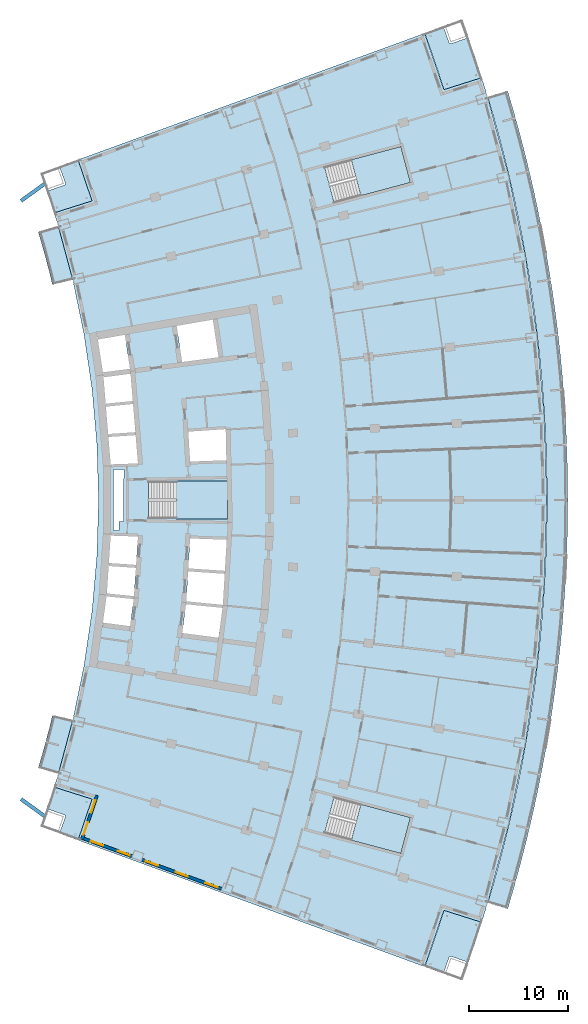
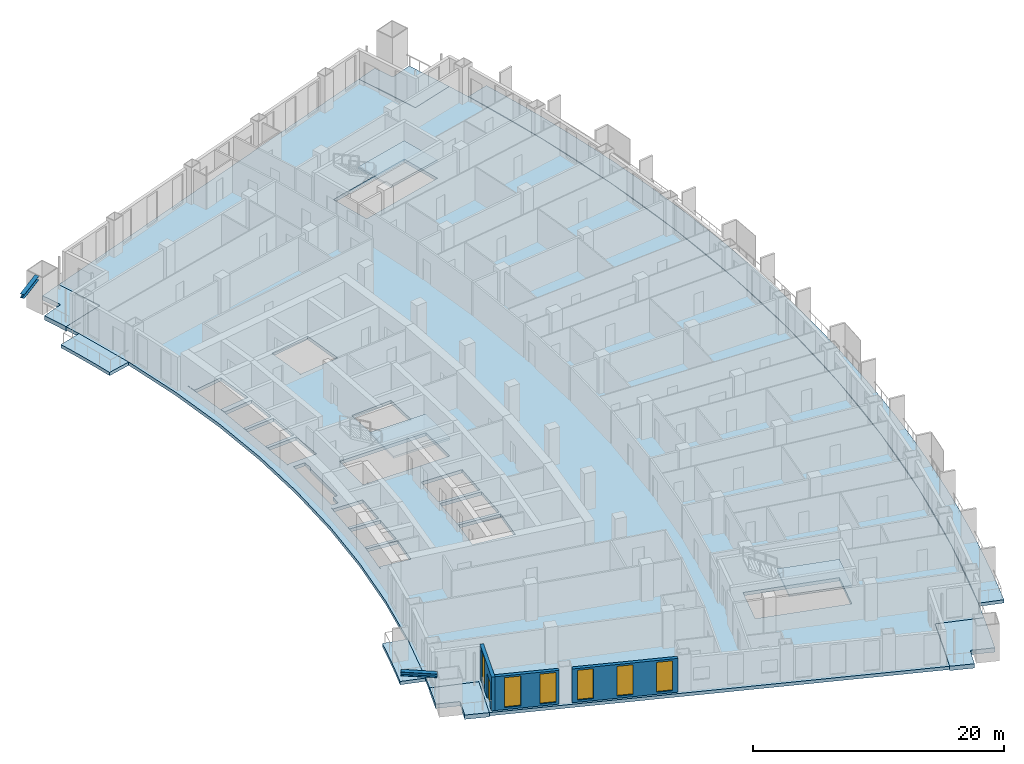
# One storey, part 12 of 25: 11 slabs, 6 windows, 3 walls, 2 members, 1 door, 7 openings, 3 elements without a shape of their own.
"""IFC4 building model written with IfcOpenShell, lengths in metres."""

from ifc_helpers import new_model, si_unit, direction, frame, frame_2d, origin, origin_2d, place, context, subcontext, project, spatial, polyline, rectangle, i_section, outline, extrude, material, layer, layer_set, material_profile, profile_set, type_object, element, fill, aggregate, save


model = new_model("IFC4")

# Units and contexts
model_context = context("Model", 3, precision=1e-05, world=origin(), true_north=direction((0.0, 1.0)))
body_context = subcontext(model_context, "Body", "Model", "MODEL_VIEW")
ifc_project = project(units=[si_unit("LENGTHUNIT", "METRE"), si_unit("AREAUNIT", "SQUARE_METRE"), si_unit("VOLUMEUNIT", "CUBIC_METRE"), si_unit("PLANEANGLEUNIT", "RADIAN"), si_unit("MASSUNIT", "GRAM", prefix="KILO")], contexts=[model_context])

# Site, building, storey
site_placement = place(None, origin())
site = spatial("IfcSite", under=ifc_project, at=site_placement, CompositionType="ELEMENT")
building_placement = place(site_placement, origin())
building = spatial("IfcBuilding", under=site, at=building_placement, Name="Alderwake Tower", CompositionType="ELEMENT")
storey_placement = place(building_placement, frame((0.0, 0.0, 118.39990234375)))
storey = spatial("IfcBuildingStorey", under=building, at=storey_placement, Name="L29", CompositionType="ELEMENT", Elevation=118.39990234375)

# Members
ifc_material_1 = material(Name="Steel ASTM A992 Grade 50", Category="steel")
ifc_material_profile = material_profile(ifc_material_1, i_section(OverallWidth=0.3740234375, OverallDepth=0.372314453125, WebThickness=0.016357421875, FlangeThickness=0.026123046875, at=origin_2d()), Name="W14X132")
ifc_profile_set = profile_set([ifc_material_profile], Name="Steel ASTM A992 Grade 50")
member_type = type_object("IfcMemberType", Name="Brace node stub W14X132", PredefinedType="MEMBER", material=ifc_profile_set)
for number, where, z_axis, x_axis, name in (
    (1, (10.557861328125, 29.140625, 3.393798828125), (-0.811319673372, 0.584602760513, 0.0), (-0.584602760513, -0.811319673372, 0.0), "Brace node stub BS.RR01-C0.1220"),
    (2, (10.557861328125, 92.859375, 3.393798828125), (-0.811319673372, -0.584602760513, 0.0), (0.584602760513, -0.811319673372, 0.0), "Brace node stub BS.RR13-C0.1220"),
):
    element("IfcMember", number, at=place(storey_placement, frame(where, z_axis=z_axis, x_axis=x_axis)), inside=storey, type_object=member_type, Name=name, PredefinedType="MEMBER", context=body_context, shape_type="SweptSolid", body=[
        extrude(i_section(OverallWidth=0.3740234375, OverallDepth=0.372314453125, WebThickness=0.016357421875, FlangeThickness=0.026123046875, at=origin_2d()), origin(), (0.0, 0.0, 1.0), 2.912841796875),
    ])

# Slabs
ifc_material_2 = material(Name="Concrete C50/60", Category="concrete")
ifc_layer_1 = layer(ifc_material_2, 0.320068359375)
ifc_layer_set_1 = layer_set([ifc_layer_1], Name="Balcony slab 320")
slab_type_1 = type_object("IfcSlabType", Name="Balcony slab 320", PredefinedType="FLOOR", material=ifc_layer_set_1)
slab_1_placement = place(storey_placement, frame((0.0, 0.0, -0.31982421875)))
element("IfcSlab", 3, at=slab_1_placement, inside=storey, type_object=slab_type_1, Name="Balcony BF02", PredefinedType="FLOOR", context=body_context, shape_type="SweptSolid", body=[
    extrude(outline(polyline([(57.247802734375, 19.794189453125), (57.834228515625, 21.800048828125), (58.39111328125, 23.814208984375), (58.918701171875, 25.83642578125), (59.416748046875, 27.865966796875), (59.885009765625, 29.902587890625), (60.32373046875, 31.94580078125), (60.732421875, 33.9951171875), (61.111328125, 36.05029296875), (61.460205078125, 38.11083984375), (61.77880859375, 40.176025390625), (62.0673828125, 42.245849609375), (62.325927734375, 44.319580078125), (62.553955078125, 46.39697265625), (62.751708984375, 48.477294921875), (62.919189453125, 50.560302734375), (63.056396484375, 52.6455078125), (63.162841796875, 54.732666015625), (63.239013671875, 56.821044921875), (63.284912109375, 58.910400390625), (63.300048828125, 61.0), (63.284912109375, 63.089599609375), (63.239013671875, 65.178955078125), (63.162841796875, 67.267333984375), (63.056396484375, 69.3544921875), (62.919189453125, 71.439697265625), (62.751708984375, 73.522705078125), (62.553955078125, 75.60302734375), (62.325927734375, 77.680419921875), (62.0673828125, 79.754150390625), (61.77880859375, 81.823974609375), (61.460205078125, 83.88916015625), (61.111328125, 85.94970703125), (60.732421875, 88.0048828125), (60.32373046875, 90.05419921875), (59.885009765625, 92.097412109375), (59.416748046875, 94.134033203125), (58.918701171875, 96.16357421875), (58.39111328125, 98.185791015625), (57.834228515625, 100.199951171875), (57.247802734375, 102.205810546875), (55.236572265625, 101.601806640625), (55.814208984375, 99.62548828125), (56.363037109375, 97.640869140625), (56.8828125, 95.648193359375), (57.37353515625, 93.6484375), (57.835205078125, 91.641845703125), (58.267333984375, 89.62841796875), (58.670166015625, 87.609130859375), (59.04345703125, 85.583984375), (59.38720703125, 83.5537109375), (59.701171875, 81.518798828125), (59.985595703125, 79.479248046875), (60.239990234375, 77.43603515625), (60.46484375, 75.38916015625), (60.659912109375, 73.339111328125), (60.82470703125, 71.28662109375), (60.959716796875, 69.23193359375), (61.06494140625, 67.175537109375), (61.139892578125, 65.11767578125), (61.18505859375, 63.05908203125), (61.199951171875, 61.0), (61.18505859375, 58.94091796875), (61.139892578125, 56.88232421875), (61.06494140625, 54.824462890625), (60.959716796875, 52.76806640625), (60.82470703125, 50.71337890625), (60.659912109375, 48.660888671875), (60.46484375, 46.61083984375), (60.239990234375, 44.56396484375), (59.985595703125, 42.520751953125), (59.701171875, 40.481201171875), (59.38720703125, 38.4462890625), (59.04345703125, 36.416015625), (58.670166015625, 34.390869140625), (58.267333984375, 32.37158203125), (57.835205078125, 30.358154296875), (57.37353515625, 28.3515625), (56.8828125, 26.351806640625), (56.363037109375, 24.359130859375), (55.814208984375, 22.37451171875), (55.236572265625, 20.398193359375), (57.247802734375, 19.794189453125)])), origin(), (0.0, 0.0, 1.0), 0.31982421875),
])
slab_2_placement = place(storey_placement, frame((0.0, 0.0, -0.31982421875)))
element("IfcSlab", 4, at=slab_2_placement, inside=storey, type_object=slab_type_1, Name="Balcony BR02", PredefinedType="FLOOR", context=body_context, shape_type="SweptSolid", body=[
    extrude(outline(polyline([(9.93408203125, 33.999267578125), (11.945556640625, 33.395263671875), (13.3984375, 38.802734375), (11.35546875, 39.288330078125), (11.029052734375, 37.95849609375), (10.683349609375, 36.63330078125), (10.318359375, 35.3134765625), (9.93408203125, 33.999267578125)])), origin(), (0.0, 0.0, 1.0), 0.31982421875),
])
slab_3_placement = place(storey_placement, frame((0.0, 0.0, -0.31982421875)))
element("IfcSlab", 5, at=slab_3_placement, inside=storey, type_object=slab_type_1, Name="Balcony BR11", PredefinedType="FLOOR", context=body_context, shape_type="SweptSolid", body=[
    extrude(outline(polyline([(11.35546875, 82.711669921875), (13.3984375, 83.197265625), (11.945556640625, 88.604736328125), (9.93408203125, 88.000732421875), (10.318359375, 86.6865234375), (10.683349609375, 85.36669921875), (11.029052734375, 84.04150390625), (11.35546875, 82.711669921875)])), origin(), (0.0, 0.0, 1.0), 0.31982421875),
])
ifc_material_3 = material(Name="Concrete C50/60", Category="concrete")
ifc_layer_2 = layer(ifc_material_3, 0.320068359375)
ifc_layer_set_2 = layer_set([ifc_layer_2], Name="Concrete C50/60 post-tensioned flat plate 320")
slab_type_2 = type_object("IfcSlabType", Name="Concrete C50/60 post-tensioned flat plate 320", PredefinedType="FLOOR", material=ifc_layer_set_2)
slab_4_placement = place(storey_placement, frame((0.0, 0.0, -0.31982421875)))
element("IfcSlab", 6, at=slab_4_placement, inside=storey, type_object=slab_type_2, Name="Floor slab L29", PredefinedType="FLOOR", context=body_context, shape_type="SweptSolid", body=[
    extrude(outline(polyline([(11.533203125, 32.057373046875), (11.945556640625, 33.395263671875), (13.3984375, 38.802734375), (14.53369140625, 44.28564453125), (15.347412109375, 49.825439453125), (15.836669921875, 55.4033203125), (16.0, 61.0), (15.836669921875, 66.5966796875), (15.347412109375, 72.174560546875), (14.53369140625, 77.71435546875), (13.3984375, 83.197265625), (11.945556640625, 88.604736328125), (11.533203125, 89.942626953125), (15.34716796875, 91.1484375), (13.937255859375, 95.289794921875), (48.8818359375, 108.045654296875), (50.816162109375, 102.36376953125), (54.630126953125, 103.569580078125), (55.236572265625, 101.601806640625), (57.37353515625, 93.6484375), (59.04345703125, 85.583984375), (60.239990234375, 77.43603515625), (60.959716796875, 69.23193359375), (61.199951171875, 61.0), (60.959716796875, 52.76806640625), (60.239990234375, 44.56396484375), (59.04345703125, 36.416015625), (57.37353515625, 28.3515625), (55.236572265625, 20.398193359375), (54.630126953125, 18.430419921875), (50.816162109375, 19.63623046875), (48.8818359375, 13.954345703125), (13.937255859375, 26.710205078125), (15.34716796875, 30.8515625), (11.533203125, 32.057373046875)]), holes=[polyline([(16.84375, 51.279541015625), (16.8583984375, 51.4287109375), (16.873291015625, 51.577880859375), (19.574951171875, 51.31103515625), (19.76611328125, 54.161376953125), (17.0537109375, 54.34326171875), (17.06396484375, 54.492919921875), (17.073974609375, 54.642578125), (19.7861328125, 54.460693359375), (19.977294921875, 57.31103515625), (17.263916015625, 57.406982421875), (17.269287109375, 57.556884765625), (17.2392578125, 57.55810546875), (17.033935546875, 54.494873046875), (16.82861328125, 51.431640625), (16.82861328125, 51.431640625), (16.41015625, 48.39013671875), (16.43994140625, 48.38623046875), (16.472412109375, 48.63427734375), (19.18017578125, 48.280029296875), (19.545166015625, 51.012451171875), (16.84375, 51.279541015625)]), polyline([(29.0, 62.875), (21.050048828125, 62.875), (21.050048828125, 59.125), (29.0, 59.125), (29.0, 62.875)]), polyline([(19.738525390625, 67.5361328125), (17.02587890625, 67.354248046875), (17.015869140625, 67.50390625), (17.005859375, 67.653564453125), (19.7138671875, 67.835205078125), (19.47802734375, 70.679443359375), (16.777099609375, 70.41259765625), (16.76220703125, 70.561767578125), (16.74755859375, 70.7109375), (19.453125, 70.978515625), (19.2255859375, 73.725830078125), (16.541015625, 73.374755859375), (16.508544921875, 73.62255859375), (16.47607421875, 73.87060546875), (19.16796875, 74.22265625), (18.656982421875, 77.6376953125), (18.90283203125, 77.674560546875), (18.900146484375, 77.690673828125), (15.96826171875, 77.183837890625), (15.836669921875, 77.94482421875), (15.58544921875, 77.900390625), (15.586181640625, 77.896484375), (15.8154296875, 77.931884765625), (16.478515625, 73.61865234375), (16.47900390625, 73.61376953125), (16.732421875, 70.558837890625), (16.98583984375, 67.501953125), (17.239501953125, 64.4443359375), (17.239501953125, 64.44189453125), (17.269287109375, 64.443115234375), (17.263916015625, 64.593017578125), (19.974609375, 64.68896484375), (19.738525390625, 67.5361328125)]), polyline([(47.436279296875, 28.996826171875), (39.754150390625, 31.043212890625), (38.7890625, 27.41943359375), (46.47119140625, 25.373291015625), (47.436279296875, 28.996826171875)]), polyline([(24.82470703125, 50.49072265625), (24.8291015625, 50.534423828125), (24.825439453125, 50.534912109375), (24.43212890625, 47.59326171875), (28.095703125, 47.114013671875), (28.497802734375, 50.127685546875), (24.82470703125, 50.49072265625)]), polyline([(25.031005859375, 53.808349609375), (24.84521484375, 50.735595703125), (24.848876953125, 50.7353515625), (24.854248046875, 50.789306640625), (28.5341796875, 50.42578125), (28.719970703125, 53.56103515625), (25.031005859375, 53.808349609375)]), polyline([(28.92333984375, 56.994384765625), (25.2314453125, 57.125), (25.049072265625, 54.10791015625), (28.737548828125, 53.860595703125), (28.92333984375, 56.994384765625)]), polyline([(28.819091796875, 68.091552734375), (28.815673828125, 68.144775390625), (25.05126953125, 67.892333984375), (25.232177734375, 64.875), (28.887451171875, 65.00439453125), (28.819091796875, 68.091552734375)]), polyline([(28.09619140625, 75.390380859375), (27.523193359375, 79.181396484375), (23.877685546875, 78.551025390625), (24.427001953125, 74.915283203125), (24.368896484375, 74.90673828125), (24.36962890625, 74.90283203125), (28.09619140625, 75.390380859375)]), polyline([(46.47119140625, 96.626708984375), (38.7890625, 94.58056640625), (39.754150390625, 90.956787109375), (47.436279296875, 93.003173828125), (46.47119140625, 96.626708984375)]), polyline([(17.489501953125, 64.050537109375), (17.4892578125, 57.949462890625), (18.065673828125, 57.928955078125), (18.090576171875, 58.84326171875), (18.544189453125, 58.8310546875), (18.529296875, 58.8681640625), (18.5234375, 58.89208984375), (18.5185546875, 58.94091796875), (18.5185546875, 63.060302734375), (18.5234375, 63.109130859375), (18.53759765625, 63.156005859375), (18.560791015625, 63.19921875), (18.588623046875, 63.233642578125), (18.565185546875, 64.088623046875), (17.489501953125, 64.050537109375)])]), origin(), (0.0, 0.0, 1.0), 0.31982421875),
])

# Stair, slab
ifc_material_4 = material(Name="Concrete C40/50", Category="concrete")
stair_type = type_object("IfcStairType", Name="Core exit stair", PredefinedType="HALF_TURN_STAIR", material=ifc_material_4)
stair_1_placement = place(storey_placement, origin())
stair_1 = element("IfcStair", 7, at=stair_1_placement, inside=storey, type_object=stair_type, Name="L29 Exit Stair B", PredefinedType="HALF_TURN_STAIR")
ifc_material_5 = material(Name="Concrete C40/50", Category="concrete")
ifc_layer_3 = layer(ifc_material_5, 0.199951171875)
ifc_layer_set_3 = layer_set([ifc_layer_3], Name="Core stair landing 200")
slab_type_3 = type_object("IfcSlabType", Name="Core stair landing 200", PredefinedType="LANDING", material=ifc_layer_set_3)
slab_5_placement = place(storey_placement, frame((0.0, 0.0, 1.60009765625)))
slab_5 = element("IfcSlab", 8, at=slab_5_placement, type_object=slab_type_3, Name="ST-B landing 1", PredefinedType="LANDING", context=body_context, shape_type="SweptSolid", body=[
    extrude(outline(polyline([(23.830078125, 59.074951171875), (29.0, 59.074951171875), (29.0, 62.925048828125), (23.830078125, 62.925048828125), (23.830078125, 59.074951171875)])), origin(), (0.0, 0.0, 1.0), 0.199951171875),
])
aggregate(stair_1, [slab_5])

stair_2_placement = place(storey_placement, origin())
stair_2 = element("IfcStair", 9, at=stair_2_placement, inside=storey, type_object=stair_type, Name="L29 Exit Stair A", PredefinedType="HALF_TURN_STAIR")
slab_6_placement = place(storey_placement, frame((0.0, 0.0, 1.60009765625)))
slab_6 = element("IfcSlab", 10, at=slab_6_placement, type_object=slab_type_3, Name="ST-A landing 1", PredefinedType="LANDING", context=body_context, shape_type="SweptSolid", body=[
    extrude(outline(polyline([(42.440673828125, 91.67236328125), (47.436279296875, 93.003173828125), (46.47119140625, 96.626708984375), (41.475341796875, 95.296142578125), (42.440673828125, 91.67236328125)])), origin(), (0.0, 0.0, 1.0), 0.199951171875),
])
aggregate(stair_2, [slab_6])

stair_3_placement = place(storey_placement, origin())
stair_3 = element("IfcStair", 11, at=stair_3_placement, inside=storey, type_object=stair_type, Name="L29 Exit Stair C", PredefinedType="HALF_TURN_STAIR")
slab_7_placement = place(storey_placement, frame((0.0, 0.0, 1.60009765625)))
slab_7 = element("IfcSlab", 12, at=slab_7_placement, type_object=slab_type_3, Name="ST-C landing 1", PredefinedType="LANDING", context=body_context, shape_type="SweptSolid", body=[
    extrude(outline(polyline([(41.475341796875, 26.703857421875), (46.47119140625, 25.373291015625), (47.436279296875, 28.996826171875), (42.4404296875, 30.32763671875), (41.475341796875, 26.703857421875)])), origin(), (0.0, 0.0, 1.0), 0.199951171875),
])
aggregate(stair_3, [slab_7])

# Slabs
ifc_material_6 = material(Name="Concrete C50/60", Category="concrete")
ifc_layer_4 = layer(ifc_material_6, 0.419921875)
ifc_layer_set_4 = layer_set([ifc_layer_4], Name="Terrace slab 420")
slab_type_4 = type_object("IfcSlabType", Name="Terrace slab 420", PredefinedType="FLOOR", material=ifc_layer_set_4)
slab_8_placement = place(storey_placement, frame((0.0, 0.0, -0.419921875)))
element("IfcSlab", 13, at=slab_8_placement, inside=storey, type_object=slab_type_4, Name="Corner terrace FS", PredefinedType="FLOOR", context=body_context, shape_type="SweptSolid", body=[
    extrude(outline(polyline([(53.331298828125, 14.522216796875), (53.279296875, 14.3759765625), (51.54150390625, 14.99755859375), (51.527587890625, 15.001953125), (51.51318359375, 15.004638671875), (51.498291015625, 15.006103515625), (51.483642578125, 15.006103515625), (51.468994140625, 15.004638671875), (51.45458984375, 15.001953125), (51.4404296875, 14.99755859375), (51.427001953125, 14.991943359375), (51.4140625, 14.985107421875), (51.401611328125, 14.976806640625), (51.390380859375, 14.967529296875), (51.3798828125, 14.95703125), (51.37060546875, 14.94580078125), (51.3623046875, 14.93359375), (51.35546875, 14.92041015625), (51.349853515625, 14.906982421875), (50.777099609375, 13.306396484375), (50.77294921875, 13.292236328125), (50.77001953125, 13.277587890625), (50.768798828125, 13.265625), (48.8818359375, 13.954345703125), (49.55419921875, 15.8388671875), (50.19921875, 17.73291015625), (50.816162109375, 19.63623046875), (54.630126953125, 18.430419921875), (53.9951171875, 16.471435546875), (53.331298828125, 14.522216796875)])), origin(), (0.0, 0.0, 1.0), 0.419921875),
])
slab_9_placement = place(storey_placement, frame((0.0, 0.0, -0.419921875)))
element("IfcSlab", 14, at=slab_9_placement, inside=storey, type_object=slab_type_4, Name="Corner terrace RS", PredefinedType="FLOOR", context=body_context, shape_type="SweptSolid", body=[
    extrude(outline(polyline([(13.937255859375, 26.710205078125), (12.04931640625, 27.3994140625), (12.0537109375, 27.40380859375), (12.06298828125, 27.4150390625), (12.071044921875, 27.427490234375), (12.077880859375, 27.4404296875), (12.08349609375, 27.4541015625), (12.651611328125, 29.056396484375), (12.65576171875, 29.0703125), (12.65869140625, 29.084716796875), (12.66015625, 29.099609375), (12.659912109375, 29.1142578125), (12.658447265625, 29.12890625), (12.655517578125, 29.143310546875), (12.6513671875, 29.157470703125), (12.6455078125, 29.1708984375), (12.638671875, 29.183837890625), (12.63037109375, 29.196044921875), (12.62109375, 29.20751953125), (12.610595703125, 29.218017578125), (12.59912109375, 29.227294921875), (12.5869140625, 29.2353515625), (12.573974609375, 29.2421875), (12.560302734375, 29.247802734375), (10.8095703125, 29.868408203125), (11.101318359375, 30.7255859375), (11.533203125, 32.057373046875), (15.34716796875, 30.8515625), (13.937255859375, 26.710205078125)])), origin(), (0.0, 0.0, 1.0), 0.419921875),
])
slab_10_placement = place(storey_placement, frame((0.0, 0.0, -0.419921875)))
element("IfcSlab", 15, at=slab_10_placement, inside=storey, type_object=slab_type_4, Name="Corner terrace FN", PredefinedType="FLOOR", context=body_context, shape_type="SweptSolid", body=[
    extrude(outline(polyline([(53.331298828125, 107.477783203125), (53.9951171875, 105.528564453125), (54.630126953125, 103.569580078125), (50.816162109375, 102.36376953125), (50.19921875, 104.26708984375), (49.55419921875, 106.1611328125), (48.8818359375, 108.045654296875), (50.768798828125, 108.734375), (50.77001953125, 108.722412109375), (50.77294921875, 108.707763671875), (50.777099609375, 108.693603515625), (51.349853515625, 107.093017578125), (51.35546875, 107.07958984375), (51.3623046875, 107.06640625), (51.37060546875, 107.05419921875), (51.3798828125, 107.04296875), (51.390380859375, 107.032470703125), (51.401611328125, 107.023193359375), (51.4140625, 107.014892578125), (51.427001953125, 107.008056640625), (51.4404296875, 107.00244140625), (51.45458984375, 106.998046875), (51.468994140625, 106.995361328125), (51.483642578125, 106.993896484375), (51.498291015625, 106.993896484375), (51.51318359375, 106.995361328125), (51.527587890625, 106.998046875), (51.54150390625, 107.00244140625), (53.279296875, 107.6240234375), (53.331298828125, 107.477783203125)])), origin(), (0.0, 0.0, 1.0), 0.419921875),
])
slab_11_placement = place(storey_placement, frame((0.0, 0.0, -0.419921875)))
element("IfcSlab", 16, at=slab_11_placement, inside=storey, type_object=slab_type_4, Name="Corner terrace RN", PredefinedType="FLOOR", context=body_context, shape_type="SweptSolid", body=[
    extrude(outline(polyline([(10.8095703125, 92.131591796875), (12.560302734375, 92.752197265625), (12.573974609375, 92.7578125), (12.5869140625, 92.7646484375), (12.59912109375, 92.772705078125), (12.610595703125, 92.781982421875), (12.62109375, 92.79248046875), (12.63037109375, 92.803955078125), (12.638671875, 92.816162109375), (12.6455078125, 92.8291015625), (12.6513671875, 92.842529296875), (12.655517578125, 92.856689453125), (12.658447265625, 92.87109375), (12.659912109375, 92.8857421875), (12.66015625, 92.900390625), (12.65869140625, 92.915283203125), (12.65576171875, 92.9296875), (12.651611328125, 92.943603515625), (12.08349609375, 94.5458984375), (12.077880859375, 94.5595703125), (12.071044921875, 94.572509765625), (12.06298828125, 94.5849609375), (12.0537109375, 94.59619140625), (12.04931640625, 94.6005859375), (13.937255859375, 95.289794921875), (15.34716796875, 91.1484375), (11.533203125, 89.942626953125), (11.101318359375, 91.2744140625), (10.8095703125, 92.131591796875)])), origin(), (0.0, 0.0, 1.0), 0.419921875),
])

# Wall, openings, door, window
ifc_material_7 = material(Name="Bronze metal cladding on lightweight framing")
ifc_layer_5 = layer(ifc_material_7, 0.300048828125)
ifc_layer_set_5 = layer_set([ifc_layer_5], Name="External wall EW2 bronze metal cladding")
wall_type = type_object("IfcWallType", Name="External wall EW2 bronze metal cladding", PredefinedType="SOLIDWALL", material=ifc_layer_set_5)
wall_1_placement = place(storey_placement, frame((15.83740234375, 31.220703125, 0.0), z_axis=(0.0, 0.0, 1.0), x_axis=(-0.32041006121, -0.947278941324, 0.0)))
wall_1 = element("IfcWall", 17, at=wall_1_placement, inside=storey, type_object=wall_type, Name="External wall 3", PredefinedType="SOLIDWALL", context=body_context, shape_type="SweptSolid", body=[
    extrude(rectangle(XDim=4.68994140625, YDim=0.300048828125, at=frame_2d((2.344970703125, 0.0))), origin(), (0.0, 0.0, 1.0), 3.280029296875),
])
opening_1_placement = place(wall_1_placement, frame((0.5224609375, 0.0, 0.199951171875)))
opening_1 = element("IfcOpeningElement", 18, at=opening_1_placement, cuts=wall_1, Name="Opening W1", PredefinedType="OPENING", context=body_context, shape_type="SweptSolid", body=[
    extrude(rectangle(XDim=1.300048828125, YDim=2.89990234375, at=frame_2d((0.64990234375, 1.449951171875))), frame((0.0, 0.159912109375, 0.0), z_axis=(0.0, -1.0, 0.0), x_axis=(1.0, 0.0, 0.0)), (0.0, 0.0, 1.0), 0.320068359375),
])
opening_2_placement = place(wall_1_placement, frame((2.867431640625, 0.0, 0.0)))
opening_2 = element("IfcOpeningElement", 19, at=opening_2_placement, cuts=wall_1, Name="Opening D01", PredefinedType="OPENING", context=body_context, shape_type="SweptSolid", body=[
    extrude(rectangle(XDim=1.300048828125, YDim=2.39990234375, at=frame_2d((0.64990234375, 1.199951171875))), frame((0.0, 0.159912109375, 0.0), z_axis=(0.0, -1.0, 0.0), x_axis=(1.0, 0.0, 0.0)), (0.0, 0.0, 1.0), 0.320068359375),
])
ifc_material_8 = material(Name="Bronze tinted glass in aluminium frame", Category="aluminium")
door_type = type_object("IfcDoorType", Name="Balcony door BD sliding", OperationType="SLIDING_TO_LEFT", PredefinedType="DOOR", material=ifc_material_8)
door_placement = place(opening_2_placement, origin())
door = element("IfcDoor", 20, at=door_placement, inside=storey, type_object=door_type, Name="Door D01", OperationType="SLIDING_TO_LEFT", OverallHeight=2.39990234375, OverallWidth=1.300048828125, PredefinedType="DOOR", context=body_context, shape_type="SweptSolid", body=[
    extrude(rectangle(XDim=1.300048828125, YDim=2.39990234375, at=frame_2d((0.64990234375, 1.199951171875))), frame((0.0, 0.02490234375, 0.0), z_axis=(0.0, -1.0, 0.0), x_axis=(1.0, 0.0, 0.0)), (0.0, 0.0, 1.0), 0.050048828125),
])
fill(opening_2, door)
ifc_material_9 = material(Name="Bronze tinted glass in aluminium frame", Category="aluminium")
window_type = type_object("IfcWindowType", Name="Window W1 tall fixed and vent", PartitioningType="DOUBLE_PANEL_VERTICAL", PredefinedType="WINDOW", material=ifc_material_9)
window_1_placement = place(opening_1_placement, origin())
window_1 = element("IfcWindow", 21, at=window_1_placement, inside=storey, type_object=window_type, Name="Window W1 tall fixed and vent", OverallHeight=2.89990234375, OverallWidth=1.300048828125, PartitioningType="DOUBLE_PANEL_VERTICAL", PredefinedType="WINDOW", context=body_context, shape_type="SweptSolid", body=[
    extrude(rectangle(XDim=1.300048828125, YDim=2.89990234375, at=frame_2d((0.64990234375, 1.449951171875))), frame((0.0, 0.030029296875, 0.0), z_axis=(0.0, -1.0, 0.0), x_axis=(1.0, 0.0, 0.0)), (0.0, 0.0, 1.0), 0.06005859375),
])
fill(opening_1, window_1)

# Wall, openings, windows
wall_2_placement = place(storey_placement, frame((14.523681640625, 26.86865234375, 0.0), z_axis=(0.0, 0.0, 1.0), x_axis=(0.939378067131, -0.342883138974, 0.0)))
wall_2 = element("IfcWall", 22, at=wall_2_placement, inside=storey, type_object=wall_type, Name="External wall 4", PredefinedType="SOLIDWALL", context=body_context, shape_type="SweptSolid", body=[
    extrude(rectangle(XDim=5.17431640625, YDim=0.300048828125, at=frame_2d((2.587158203125, 0.0))), origin(), (0.0, 0.0, 1.0), 3.280029296875),
])
opening_3_placement = place(wall_2_placement, frame((0.775390625, 0.0, 0.199951171875)))
opening_3 = element("IfcOpeningElement", 23, at=opening_3_placement, cuts=wall_2, Name="Opening W1", PredefinedType="OPENING", context=body_context, shape_type="SweptSolid", body=[
    extrude(rectangle(XDim=1.300048828125, YDim=2.89990234375, at=frame_2d((0.64990234375, 1.449951171875))), frame((0.0, 0.159912109375, 0.0), z_axis=(0.0, -1.0, 0.0), x_axis=(1.0, 0.0, 0.0)), (0.0, 0.0, 1.0), 0.320068359375),
])
opening_4_placement = place(wall_2_placement, frame((3.626220703125, 0.0, 0.199951171875)))
opening_4 = element("IfcOpeningElement", 24, at=opening_4_placement, cuts=wall_2, Name="Opening W1", PredefinedType="OPENING", context=body_context, shape_type="SweptSolid", body=[
    extrude(rectangle(XDim=1.300048828125, YDim=2.89990234375, at=frame_2d((0.64990234375, 1.449951171875))), frame((0.0, 0.159912109375, 0.0), z_axis=(0.0, -1.0, 0.0), x_axis=(1.0, 0.0, 0.0)), (0.0, 0.0, 1.0), 0.320068359375),
])
window_2_placement = place(opening_3_placement, origin())
window_2 = element("IfcWindow", 25, at=window_2_placement, inside=storey, type_object=window_type, Name="Window W1 tall fixed and vent", OverallHeight=2.89990234375, OverallWidth=1.300048828125, PartitioningType="DOUBLE_PANEL_VERTICAL", PredefinedType="WINDOW", context=body_context, shape_type="SweptSolid", body=[
    extrude(rectangle(XDim=1.300048828125, YDim=2.89990234375, at=frame_2d((0.64990234375, 1.449951171875))), frame((0.0, 0.030029296875, 0.0), z_axis=(0.0, -1.0, 0.0), x_axis=(1.0, 0.0, 0.0)), (0.0, 0.0, 1.0), 0.06005859375),
])
fill(opening_3, window_2)
window_3_placement = place(opening_4_placement, origin())
window_3 = element("IfcWindow", 26, at=window_3_placement, inside=storey, type_object=window_type, Name="Window W1 tall fixed and vent", OverallHeight=2.89990234375, OverallWidth=1.300048828125, PartitioningType="DOUBLE_PANEL_VERTICAL", PredefinedType="WINDOW", context=body_context, shape_type="SweptSolid", body=[
    extrude(rectangle(XDim=1.300048828125, YDim=2.89990234375, at=frame_2d((0.64990234375, 1.449951171875))), frame((0.0, 0.030029296875, 0.0), z_axis=(0.0, -1.0, 0.0), x_axis=(1.0, 0.0, 0.0)), (0.0, 0.0, 1.0), 0.06005859375),
])
fill(opening_4, window_3)

wall_3_placement = place(storey_placement, frame((20.375244140625, 24.73291015625, 0.0), z_axis=(0.0, 0.0, 1.0), x_axis=(0.939364770023, -0.342919566137, 0.0)))
wall_3 = element("IfcWall", 27, at=wall_3_placement, inside=storey, type_object=wall_type, Name="External wall 5", PredefinedType="SOLIDWALL", context=body_context, shape_type="SweptSolid", body=[
    extrude(rectangle(XDim=8.54541015625, YDim=0.300048828125, at=frame_2d((4.272705078125, 0.0))), origin(), (0.0, 0.0, 1.0), 3.280029296875),
])
opening_5_placement = place(wall_3_placement, frame((0.422607421875, 0.0, 0.199951171875)))
opening_5 = element("IfcOpeningElement", 28, at=opening_5_placement, cuts=wall_3, Name="Opening W1", PredefinedType="OPENING", context=body_context, shape_type="SweptSolid", body=[
    extrude(rectangle(XDim=1.300048828125, YDim=2.89990234375, at=frame_2d((0.64990234375, 1.449951171875))), frame((0.0, 0.159912109375, 0.0), z_axis=(0.0, -1.0, 0.0), x_axis=(1.0, 0.0, 0.0)), (0.0, 0.0, 1.0), 0.320068359375),
])
opening_6_placement = place(wall_3_placement, frame((3.622802734375, 0.0, 0.199951171875)))
opening_6 = element("IfcOpeningElement", 29, at=opening_6_placement, cuts=wall_3, Name="Opening W1", PredefinedType="OPENING", context=body_context, shape_type="SweptSolid", body=[
    extrude(rectangle(XDim=1.300048828125, YDim=2.89990234375, at=frame_2d((0.64990234375, 1.449951171875))), frame((0.0, 0.159912109375, 0.0), z_axis=(0.0, -1.0, 0.0), x_axis=(1.0, 0.0, 0.0)), (0.0, 0.0, 1.0), 0.320068359375),
])
opening_7_placement = place(wall_3_placement, frame((6.82275390625, 0.0, 0.199951171875)))
opening_7 = element("IfcOpeningElement", 30, at=opening_7_placement, cuts=wall_3, Name="Opening W1", PredefinedType="OPENING", context=body_context, shape_type="SweptSolid", body=[
    extrude(rectangle(XDim=1.300048828125, YDim=2.89990234375, at=frame_2d((0.64990234375, 1.449951171875))), frame((0.0, 0.159912109375, 0.0), z_axis=(0.0, -1.0, 0.0), x_axis=(1.0, 0.0, 0.0)), (0.0, 0.0, 1.0), 0.320068359375),
])
window_4_placement = place(opening_5_placement, origin())
window_4 = element("IfcWindow", 31, at=window_4_placement, inside=storey, type_object=window_type, Name="Window W1 tall fixed and vent", OverallHeight=2.89990234375, OverallWidth=1.300048828125, PartitioningType="DOUBLE_PANEL_VERTICAL", PredefinedType="WINDOW", context=body_context, shape_type="SweptSolid", body=[
    extrude(rectangle(XDim=1.300048828125, YDim=2.89990234375, at=frame_2d((0.64990234375, 1.449951171875))), frame((0.0, 0.030029296875, 0.0), z_axis=(0.0, -1.0, 0.0), x_axis=(1.0, 0.0, 0.0)), (0.0, 0.0, 1.0), 0.06005859375),
])
fill(opening_5, window_4)
window_5_placement = place(opening_6_placement, origin())
window_5 = element("IfcWindow", 32, at=window_5_placement, inside=storey, type_object=window_type, Name="Window W1 tall fixed and vent", OverallHeight=2.89990234375, OverallWidth=1.300048828125, PartitioningType="DOUBLE_PANEL_VERTICAL", PredefinedType="WINDOW", context=body_context, shape_type="SweptSolid", body=[
    extrude(rectangle(XDim=1.300048828125, YDim=2.89990234375, at=frame_2d((0.64990234375, 1.449951171875))), frame((0.0, 0.030029296875, 0.0), z_axis=(0.0, -1.0, 0.0), x_axis=(1.0, 0.0, 0.0)), (0.0, 0.0, 1.0), 0.06005859375),
])
fill(opening_6, window_5)
window_6_placement = place(opening_7_placement, origin())
window_6 = element("IfcWindow", 33, at=window_6_placement, inside=storey, type_object=window_type, Name="Window W1 tall fixed and vent", OverallHeight=2.89990234375, OverallWidth=1.300048828125, PartitioningType="DOUBLE_PANEL_VERTICAL", PredefinedType="WINDOW", context=body_context, shape_type="SweptSolid", body=[
    extrude(rectangle(XDim=1.300048828125, YDim=2.89990234375, at=frame_2d((0.64990234375, 1.449951171875))), frame((0.0, 0.030029296875, 0.0), z_axis=(0.0, -1.0, 0.0), x_axis=(1.0, 0.0, 0.0)), (0.0, 0.0, 1.0), 0.06005859375),
])
fill(opening_7, window_6)

save(model, "model.ifc")
